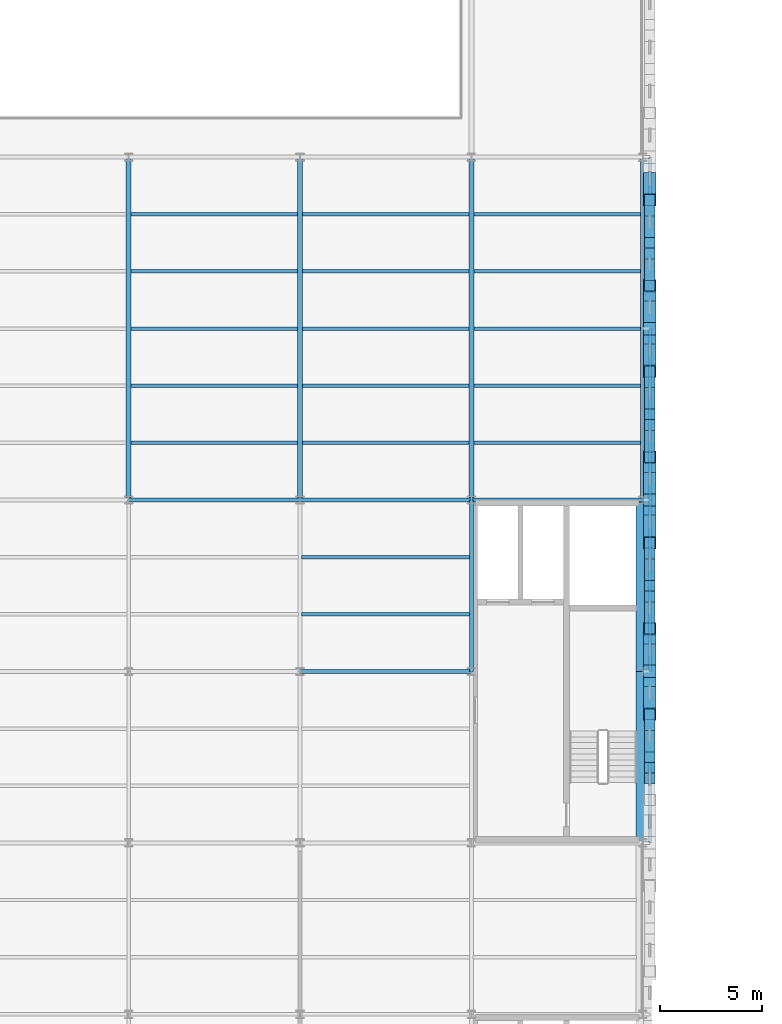
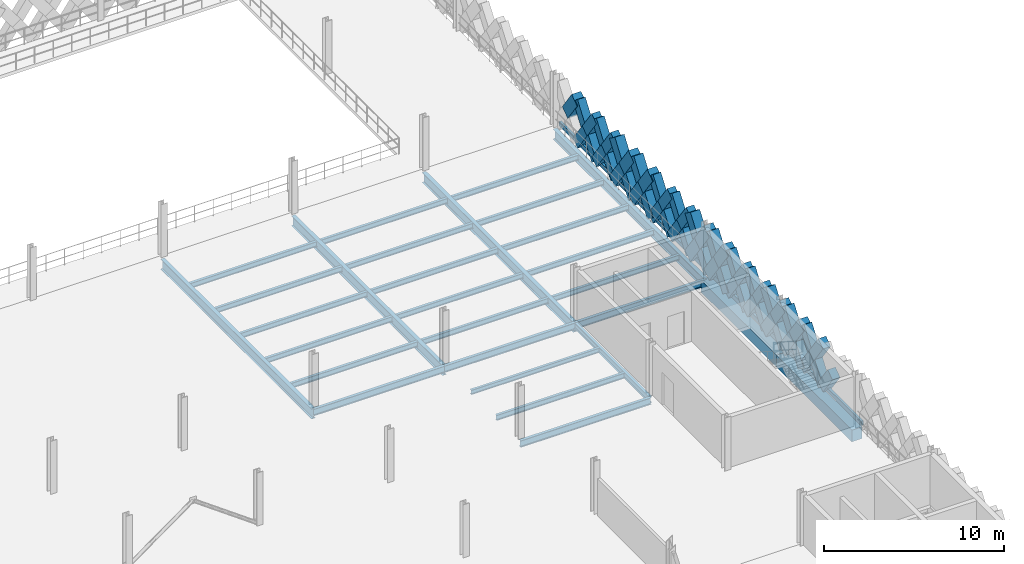
# One storey, part 32 of 79: 45 members, 28 beams.
"""IFC4 building model written with IfcOpenShell, lengths in metres."""

from ifc_helpers import new_model, si_unit, direction, frame, origin, origin_2d, place, context, subcontext, project, spatial, rectangle, hollow_rectangle, i_section, extrude, material, material_profile, profile_set, type_object, element, save


model = new_model("IFC4")

# Units and contexts
model_context = context("Model", 3, precision=1e-05, world=origin(), true_north=direction((0.0, 1.0)))
body_context = subcontext(model_context, "Body", "Model", "MODEL_VIEW")
ifc_project = project(units=[si_unit("LENGTHUNIT", "METRE"), si_unit("AREAUNIT", "SQUARE_METRE"), si_unit("VOLUMEUNIT", "CUBIC_METRE"), si_unit("PLANEANGLEUNIT", "RADIAN"), si_unit("MASSUNIT", "GRAM", prefix="KILO"), si_unit("THERMODYNAMICTEMPERATUREUNIT", "KELVIN"), si_unit("POWERUNIT", "WATT")], contexts=[model_context])

# Site, building, storey
site_placement = place(None, origin())
site = spatial("IfcSite", under=ifc_project, at=site_placement, CompositionType="ELEMENT")
building_placement = place(site_placement, origin())
building = spatial("IfcBuilding", under=site, at=building_placement, Name="Tembeka Court Mobility Hub", CompositionType="ELEMENT")
storey_placement = place(building_placement, frame((0.0, 0.0, 9.0)))
storey = spatial("IfcBuildingStorey", under=building, at=storey_placement, Name="L02", CompositionType="ELEMENT", Elevation=9.0)

# Beams
ifc_material_1 = material(Name="Steel S355", Category="steel")
ifc_material_profile_1 = material_profile(ifc_material_1, i_section(OverallWidth=0.18994140625, OverallDepth=0.45703125, WebThickness=0.009033203125, FlangeThickness=0.014404296875, FilletRadius=0.01025390625, at=origin_2d()), Name="UKB 457x191x74")
ifc_profile_set_1 = profile_set([ifc_material_profile_1], Name="Steel S355")
beam_type_1 = type_object("IfcBeamType", Name="BM-B01", PredefinedType="BEAM", material=ifc_profile_set_1)
beam_1_placement = place(storey_placement, frame((75.60009765625, 72.0, -0.448486328125), z_axis=(1.0, 0.0, 0.0), x_axis=(0.0, 1.0, 0.0)))
element("IfcBeam", 1, at=beam_1_placement, inside=storey, type_object=beam_type_1, Name="Beam B01 (BM-L02-X1271)", PredefinedType="BEAM", context=body_context, shape_type="SweptSolid", body=[
    extrude(i_section(OverallWidth=0.18994140625, OverallDepth=0.45703125, WebThickness=0.009033203125, FlangeThickness=0.014404296875, FilletRadius=0.01025390625, at=origin_2d()), origin(), (0.0, 0.0, 1.0), 8.39990234375),
])
beam_2_placement = place(storey_placement, frame((67.199951171875, 80.39990234375, -0.448486328125), z_axis=(1.0, 0.0, 0.0), x_axis=(0.0, 1.0, 0.0)))
element("IfcBeam", 2, at=beam_2_placement, inside=storey, type_object=beam_type_1, Name="Beam B01 (BM-L02-X1280)", PredefinedType="BEAM", context=body_context, shape_type="SweptSolid", body=[
    extrude(i_section(OverallWidth=0.18994140625, OverallDepth=0.45703125, WebThickness=0.009033203125, FlangeThickness=0.014404296875, FilletRadius=0.01025390625, at=origin_2d()), origin(), (0.0, 0.0, 1.0), 8.400146484375),
])
for number, where, z_axis, x_axis, name in (
    (3, (75.60009765625, 80.39990234375, -0.448486328125), (1.0, 0.0, 0.0), (0.0, 1.0, 0.0), "Beam B01 (BM-L02-X1281)"),
    (4, (84.0, 80.39990234375, -0.448486328125), (1.0, 0.0, 0.0), (0.0, 1.0, 0.0), "Beam B01 (BM-L02-X1282)"),
):
    element("IfcBeam", number, at=place(storey_placement, frame(where, z_axis=z_axis, x_axis=x_axis)), inside=storey, type_object=beam_type_1, Name=name, PredefinedType="BEAM", context=body_context, shape_type="SweptSolid", body=[
        extrude(i_section(OverallWidth=0.18994140625, OverallDepth=0.45703125, WebThickness=0.009033203125, FlangeThickness=0.014404296875, FilletRadius=0.01025390625, at=origin_2d()), origin(), (0.0, 0.0, 1.0), 8.39990234375),
    ])
ifc_material_profile_2 = material_profile(ifc_material_1, i_section(OverallWidth=0.177978515625, OverallDepth=0.406005859375, WebThickness=0.0078125, FlangeThickness=0.0126953125, FilletRadius=0.01025390625, at=origin_2d()), Name="UKB 406x178x60")
ifc_profile_set_2 = profile_set([ifc_material_profile_2], Name="Steel S355")
beam_type_2 = type_object("IfcBeamType", Name="BM-B02", PredefinedType="BEAM", material=ifc_profile_set_2)
beam_3_placement = place(storey_placement, frame((84.0, 72.0, -0.423095703125), z_axis=(0.0, 1.0, 0.0), x_axis=(-1.0, 0.0, 0.0)))
element("IfcBeam", 5, at=beam_3_placement, inside=storey, type_object=beam_type_2, Name="Beam B02 (BM-L02-Y1397)", PredefinedType="BEAM", context=body_context, shape_type="SweptSolid", body=[
    extrude(i_section(OverallWidth=0.177978515625, OverallDepth=0.406005859375, WebThickness=0.0078125, FlangeThickness=0.0126953125, FilletRadius=0.01025390625, at=origin_2d()), origin(), (0.0, 0.0, 1.0), 8.39990234375),
])
ifc_material_profile_3 = material_profile(ifc_material_1, i_section(OverallWidth=0.25390625, OverallDepth=0.68408203125, WebThickness=0.012451171875, FlangeThickness=0.01904296875, FilletRadius=0.01513671875, at=origin_2d()), Name="UKB 686x254x140")
ifc_profile_set_3 = profile_set([ifc_material_profile_3], Name="Steel S355")
beam_type_3 = type_object("IfcBeamType", Name="BM-G01", PredefinedType="USERDEFINED", material=ifc_profile_set_3)
for number, where, z_axis, x_axis, name in (
    (6, (67.199951171875, 80.39990234375, -0.56201171875), (0.0, 1.0, 0.0), (-1.0, 0.0, 0.0), "Beam G01 (BM-L02-Y1382)"),
    (7, (75.60009765625, 80.39990234375, -0.56201171875), (0.0, 1.0, 0.0), (-1.0, 0.0, 0.0), "Beam G01 (BM-L02-Y1389)"),
    (8, (84.0, 80.39990234375, -0.56201171875), (0.0, 1.0, 0.0), (-1.0, 0.0, 0.0), "Beam G01 (BM-L02-Y1398)"),
    (9, (92.39990234375, 80.39990234375, -0.56201171875), (0.0, 1.0, 0.0), (-1.0, 0.0, 0.0), "Beam G01 (BM-L02-Y1409)"),
):
    element("IfcBeam", number, at=place(storey_placement, frame(where, z_axis=z_axis, x_axis=x_axis)), inside=storey, type_object=beam_type_3, Name=name, ObjectType="GIRDER", PredefinedType="USERDEFINED", context=body_context, shape_type="SweptSolid", body=[
        extrude(i_section(OverallWidth=0.25390625, OverallDepth=0.68408203125, WebThickness=0.012451171875, FlangeThickness=0.01904296875, FilletRadius=0.01513671875, at=origin_2d()), origin(), (0.0, 0.0, 1.0), 16.800048828125),
    ])
ifc_material_profile_4 = material_profile(ifc_material_1, i_section(OverallWidth=0.172119140625, OverallDepth=0.35498046875, WebThickness=0.00732421875, FlangeThickness=0.011474609375, FilletRadius=0.01025390625, at=origin_2d()), Name="UKB 356x171x51")
ifc_profile_set_4 = profile_set([ifc_material_profile_4], Name="Steel S355")
beam_type_4 = type_object("IfcBeamType", Name="BM-J01", PredefinedType="JOIST", material=ifc_profile_set_4)
for number, where, z_axis, x_axis, name in (
    (10, (67.322021484375, 83.199951171875, -0.3974609375), (1.0, 0.0, 0.0), (0.0, 1.0, 0.0), "Beam J01 (JST-L02-1598)"),
    (11, (67.322021484375, 86.0, -0.3974609375), (1.0, 0.0, 0.0), (0.0, 1.0, 0.0), "Beam J01 (JST-L02-1599)"),
    (12, (67.322021484375, 88.800048828125, -0.3974609375), (1.0, 0.0, 0.0), (0.0, 1.0, 0.0), "Beam J01 (JST-L02-1600)"),
    (13, (67.322021484375, 91.60009765625, -0.3974609375), (1.0, 0.0, 0.0), (0.0, 1.0, 0.0), "Beam J01 (JST-L02-1601)"),
    (14, (67.322021484375, 94.39990234375, -0.3974609375), (1.0, 0.0, 0.0), (0.0, 1.0, 0.0), "Beam J01 (JST-L02-1602)"),
    (15, (75.721923828125, 83.199951171875, -0.3974609375), (1.0, 0.0, 0.0), (0.0, 1.0, 0.0), "Beam J01 (JST-L02-1618)"),
    (16, (75.721923828125, 86.0, -0.3974609375), (1.0, 0.0, 0.0), (0.0, 1.0, 0.0), "Beam J01 (JST-L02-1619)"),
    (17, (75.721923828125, 88.800048828125, -0.3974609375), (1.0, 0.0, 0.0), (0.0, 1.0, 0.0), "Beam J01 (JST-L02-1620)"),
    (18, (75.721923828125, 91.60009765625, -0.3974609375), (1.0, 0.0, 0.0), (0.0, 1.0, 0.0), "Beam J01 (JST-L02-1621)"),
    (19, (75.721923828125, 94.39990234375, -0.3974609375), (1.0, 0.0, 0.0), (0.0, 1.0, 0.0), "Beam J01 (JST-L02-1622)"),
    (20, (84.1220703125, 83.199951171875, -0.3974609375), (1.0, 0.0, 0.0), (0.0, 1.0, 0.0), "Beam J01 (JST-L02-1630)"),
    (21, (84.1220703125, 86.0, -0.3974609375), (1.0, 0.0, 0.0), (0.0, 1.0, 0.0), "Beam J01 (JST-L02-1631)"),
    (22, (84.1220703125, 88.800048828125, -0.3974609375), (1.0, 0.0, 0.0), (0.0, 1.0, 0.0), "Beam J01 (JST-L02-1632)"),
    (23, (84.1220703125, 91.60009765625, -0.3974609375), (1.0, 0.0, 0.0), (0.0, 1.0, 0.0), "Beam J01 (JST-L02-1633)"),
    (24, (84.1220703125, 94.39990234375, -0.3974609375), (1.0, 0.0, 0.0), (0.0, 1.0, 0.0), "Beam J01 (JST-L02-1634)"),
):
    element("IfcBeam", number, at=place(storey_placement, frame(where, z_axis=z_axis, x_axis=x_axis)), inside=storey, type_object=beam_type_4, Name=name, PredefinedType="JOIST", context=body_context, shape_type="SweptSolid", body=[
        extrude(i_section(OverallWidth=0.172119140625, OverallDepth=0.35498046875, WebThickness=0.00732421875, FlangeThickness=0.011474609375, FilletRadius=0.01025390625, at=origin_2d()), origin(), (0.0, 0.0, 1.0), 8.156005859375),
    ])
ifc_material_profile_5 = material_profile(ifc_material_1, i_section(OverallWidth=0.1650390625, OverallDepth=0.303955078125, WebThickness=0.006103515625, FlangeThickness=0.01025390625, FilletRadius=0.0087890625, at=origin_2d()), Name="UKB 305x165x40")
ifc_profile_set_5 = profile_set([ifc_material_profile_5], Name="Steel S355")
beam_type_5 = type_object("IfcBeamType", Name="BM-J02", PredefinedType="JOIST", material=ifc_profile_set_5)
beam_4_placement = place(storey_placement, frame((75.68408203125, 77.60009765625, -0.3720703125), z_axis=(1.0, 0.0, 0.0), x_axis=(0.0, 1.0, 0.0)))
element("IfcBeam", 25, at=beam_4_placement, inside=storey, type_object=beam_type_5, Name="Beam J02 (JST-L02-1617)", PredefinedType="JOIST", context=body_context, shape_type="SweptSolid", body=[
    extrude(i_section(OverallWidth=0.1650390625, OverallDepth=0.303955078125, WebThickness=0.006103515625, FlangeThickness=0.01025390625, FilletRadius=0.0087890625, at=origin_2d()), origin(), (0.0, 0.0, 1.0), 8.23193359375),
])
ifc_material_profile_6 = material_profile(ifc_material_1, i_section(OverallWidth=0.169921875, OverallDepth=0.360107421875, WebThickness=0.008056640625, FlangeThickness=0.0126953125, FilletRadius=0.01806640625, at=origin_2d()), Name="IPE 360")
ifc_profile_set_6 = profile_set([ifc_material_profile_6], Name="Steel S355")
beam_type_6 = type_object("IfcBeamType", Name="BM-J03", PredefinedType="JOIST", material=ifc_profile_set_6)
beam_5_placement = place(storey_placement, frame((75.68408203125, 74.800048828125, -0.39990234375), z_axis=(1.0, 0.0, 0.0), x_axis=(0.0, 1.0, 0.0)))
element("IfcBeam", 26, at=beam_5_placement, inside=storey, type_object=beam_type_6, Name="Beam J03 (JST-L02-1616)", PredefinedType="JOIST", context=body_context, shape_type="SweptSolid", body=[
    extrude(i_section(OverallWidth=0.169921875, OverallDepth=0.360107421875, WebThickness=0.008056640625, FlangeThickness=0.0126953125, FilletRadius=0.01806640625, at=origin_2d()), origin(), (0.0, 0.0, 1.0), 8.23193359375),
])
ifc_material_2 = material(Name="Precast concrete C45/55", Category="concrete")
ifc_material_profile_7 = material_profile(ifc_material_2, rectangle(XDim=0.64990234375, YDim=0.800048828125, at=origin_2d()), Name="PC-SP 650x800")
ifc_profile_set_7 = profile_set([ifc_material_profile_7], Name="Precast concrete C45/55")
beam_type_7 = type_object("IfcBeamType", Name="BM-SP01", PredefinedType="SPANDREL", material=ifc_profile_set_7)
for number, where, z_axis, x_axis, name in (
    (27, (92.39990234375, 63.60009765625, -0.6201171875), (0.0, 1.0, 0.0), (-1.0, 0.0, 0.0), "Beam SP01 (BM-L02-Y1407)"),
    (28, (92.39990234375, 72.0, -0.6201171875), (0.0, 1.0, 0.0), (-1.0, 0.0, 0.0), "Beam SP01 (BM-L02-Y1408)"),
):
    element("IfcBeam", number, at=place(storey_placement, frame(where, z_axis=z_axis, x_axis=x_axis)), inside=storey, type_object=beam_type_7, Name=name, PredefinedType="SPANDREL", context=body_context, shape_type="SweptSolid", body=[
        extrude(rectangle(XDim=0.64990234375, YDim=0.800048828125, at=origin_2d()), origin(), (0.0, 0.0, 1.0), 8.39990234375),
    ])

# Members
ifc_material_profile_8 = material_profile(ifc_material_2, rectangle(XDim=0.5, YDim=0.64990234375, at=origin_2d()), Name="PC-DIAG 500x650")
ifc_profile_set_8 = profile_set([ifc_material_profile_8], Name="Precast concrete C45/55")
member_type_1 = type_object("IfcMemberType", Name="MEM-DL01", PredefinedType="BRACE", material=ifc_profile_set_8)
member_1_placement = place(storey_placement, frame((92.739990234375, 67.800048828125, 0.02001953125), z_axis=(0.0, -0.582544294934, 0.812798956963), x_axis=(1.0, 0.0, 0.0)))
element("IfcMember", 29, at=member_1_placement, inside=storey, type_object=member_type_1, Name="Precast diamond lattice split lower strand DL01 (L02-364D1)", PredefinedType="BRACE", context=body_context, shape_type="SweptSolid", body=[
    extrude(rectangle(XDim=0.5, YDim=0.64990234375, at=origin_2d()), origin(), (0.0, 0.0, 1.0), 1.802490234375),
])
member_2_placement = place(storey_placement, frame((92.739990234375, 67.800048828125, 0.02001953125), z_axis=(0.0, 0.58253161945, 0.812808041509), x_axis=(-1.0, 0.0, 0.0)))
element("IfcMember", 30, at=member_2_placement, inside=storey, type_object=member_type_1, Name="Precast diamond lattice continuous strand DL01 (L02-365C)", PredefinedType="BRACE", context=body_context, shape_type="SweptSolid", body=[
    extrude(rectangle(XDim=0.5, YDim=0.64990234375, at=origin_2d()), origin(), (0.0, 0.0, 1.0), 3.604736328125),
])
member_3_placement = place(storey_placement, frame((92.739990234375, 69.89990234375, 0.02001953125), z_axis=(0.0, -0.582454804382, 0.812863088627), x_axis=(1.0, 0.0, 0.0)))
element("IfcMember", 31, at=member_3_placement, inside=storey, type_object=member_type_1, Name="Precast diamond lattice split lower strand DL01 (L02-365D1)", PredefinedType="BRACE", context=body_context, shape_type="SweptSolid", body=[
    extrude(rectangle(XDim=0.5, YDim=0.64990234375, at=origin_2d()), origin(), (0.0, 0.0, 1.0), 1.802490234375),
])
member_4_placement = place(storey_placement, frame((92.739990234375, 68.85009765625, 1.485107421875), z_axis=(0.0, -0.582608431711, 0.812752985414), x_axis=(1.0, 0.0, 0.0)))
element("IfcMember", 32, at=member_4_placement, inside=storey, type_object=member_type_1, Name="Precast diamond lattice split upper strand DL01 (L02-365D2)", PredefinedType="BRACE", context=body_context, shape_type="SweptSolid", body=[
    extrude(rectangle(XDim=0.5, YDim=0.64990234375, at=origin_2d()), origin(), (0.0, 0.0, 1.0), 1.80224609375),
])
member_5_placement = place(storey_placement, frame((92.739990234375, 74.10009765625, 0.02001953125), z_axis=(0.0, 0.58253161945, 0.812808041509), x_axis=(-1.0, 0.0, 0.0)))
element("IfcMember", 33, at=member_5_placement, inside=storey, type_object=member_type_1, Name="Precast diamond lattice continuous strand DL01 (L02-368C)", PredefinedType="BRACE", context=body_context, shape_type="SweptSolid", body=[
    extrude(rectangle(XDim=0.5, YDim=0.64990234375, at=origin_2d()), origin(), (0.0, 0.0, 1.0), 3.604736328125),
])
member_6_placement = place(storey_placement, frame((92.739990234375, 76.199951171875, 0.02001953125), z_axis=(0.0, -0.582544294934, 0.812798956963), x_axis=(1.0, 0.0, 0.0)))
element("IfcMember", 34, at=member_6_placement, inside=storey, type_object=member_type_1, Name="Precast diamond lattice split lower strand DL01 (L02-368D1)", PredefinedType="BRACE", context=body_context, shape_type="SweptSolid", body=[
    extrude(rectangle(XDim=0.5, YDim=0.64990234375, at=origin_2d()), origin(), (0.0, 0.0, 1.0), 1.802490234375),
])
member_7_placement = place(storey_placement, frame((92.739990234375, 75.14990234375, 1.485107421875), z_axis=(0.0, -0.582518941428, 0.812817127574), x_axis=(1.0, 0.0, 0.0)))
element("IfcMember", 35, at=member_7_placement, inside=storey, type_object=member_type_1, Name="Precast diamond lattice split upper strand DL01 (L02-368D2)", PredefinedType="BRACE", context=body_context, shape_type="SweptSolid", body=[
    extrude(rectangle(XDim=0.5, YDim=0.64990234375, at=origin_2d()), origin(), (0.0, 0.0, 1.0), 1.80224609375),
])
member_8_placement = place(storey_placement, frame((92.739990234375, 76.199951171875, 0.02001953125), z_axis=(0.0, 0.582576362011, 0.812775973086), x_axis=(-1.0, 0.0, 0.0)))
element("IfcMember", 36, at=member_8_placement, inside=storey, type_object=member_type_1, Name="Precast diamond lattice continuous strand DL01 (L02-369C)", PredefinedType="BRACE", context=body_context, shape_type="SweptSolid", body=[
    extrude(rectangle(XDim=0.5, YDim=0.64990234375, at=origin_2d()), origin(), (0.0, 0.0, 1.0), 3.604736328125),
])
member_9_placement = place(storey_placement, frame((92.739990234375, 78.300048828125, 0.02001953125), z_axis=(0.0, -0.582544294934, 0.812798956963), x_axis=(1.0, 0.0, 0.0)))
element("IfcMember", 37, at=member_9_placement, inside=storey, type_object=member_type_1, Name="Precast diamond lattice split lower strand DL01 (L02-369D1)", PredefinedType="BRACE", context=body_context, shape_type="SweptSolid", body=[
    extrude(rectangle(XDim=0.5, YDim=0.64990234375, at=origin_2d()), origin(), (0.0, 0.0, 1.0), 1.802490234375),
])
member_10_placement = place(storey_placement, frame((92.739990234375, 77.25, 1.485107421875), z_axis=(0.0, -0.582608431711, 0.812752985414), x_axis=(1.0, 0.0, 0.0)))
element("IfcMember", 38, at=member_10_placement, inside=storey, type_object=member_type_1, Name="Precast diamond lattice split upper strand DL01 (L02-369D2)", PredefinedType="BRACE", context=body_context, shape_type="SweptSolid", body=[
    extrude(rectangle(XDim=0.5, YDim=0.64990234375, at=origin_2d()), origin(), (0.0, 0.0, 1.0), 1.80224609375),
])
member_11_placement = place(storey_placement, frame((92.739990234375, 82.5, 0.02001953125), z_axis=(0.0, 0.582576362011, 0.812775973086), x_axis=(-1.0, 0.0, 0.0)))
element("IfcMember", 39, at=member_11_placement, inside=storey, type_object=member_type_1, Name="Precast diamond lattice continuous strand DL01 (L02-372C)", PredefinedType="BRACE", context=body_context, shape_type="SweptSolid", body=[
    extrude(rectangle(XDim=0.5, YDim=0.64990234375, at=origin_2d()), origin(), (0.0, 0.0, 1.0), 3.604736328125),
])
member_12_placement = place(storey_placement, frame((92.739990234375, 84.60009765625, 0.02001953125), z_axis=(0.0, -0.582544294934, 0.812798956963), x_axis=(1.0, 0.0, 0.0)))
element("IfcMember", 40, at=member_12_placement, inside=storey, type_object=member_type_1, Name="Precast diamond lattice split lower strand DL01 (L02-372D1)", PredefinedType="BRACE", context=body_context, shape_type="SweptSolid", body=[
    extrude(rectangle(XDim=0.5, YDim=0.64990234375, at=origin_2d()), origin(), (0.0, 0.0, 1.0), 1.802490234375),
])
member_13_placement = place(storey_placement, frame((92.739990234375, 83.550048828125, 1.485107421875), z_axis=(0.0, -0.582608431711, 0.812752985414), x_axis=(1.0, 0.0, 0.0)))
element("IfcMember", 41, at=member_13_placement, inside=storey, type_object=member_type_1, Name="Precast diamond lattice split upper strand DL01 (L02-372D2)", PredefinedType="BRACE", context=body_context, shape_type="SweptSolid", body=[
    extrude(rectangle(XDim=0.5, YDim=0.64990234375, at=origin_2d()), origin(), (0.0, 0.0, 1.0), 1.80224609375),
])
member_14_placement = place(storey_placement, frame((92.739990234375, 84.60009765625, 0.02001953125), z_axis=(0.0, 0.58253161945, 0.812808041509), x_axis=(-1.0, 0.0, 0.0)))
element("IfcMember", 42, at=member_14_placement, inside=storey, type_object=member_type_1, Name="Precast diamond lattice continuous strand DL01 (L02-373C)", PredefinedType="BRACE", context=body_context, shape_type="SweptSolid", body=[
    extrude(rectangle(XDim=0.5, YDim=0.64990234375, at=origin_2d()), origin(), (0.0, 0.0, 1.0), 3.604736328125),
])
member_15_placement = place(storey_placement, frame((92.739990234375, 86.699951171875, 0.02001953125), z_axis=(0.0, -0.582544294934, 0.812798956963), x_axis=(1.0, 0.0, 0.0)))
element("IfcMember", 43, at=member_15_placement, inside=storey, type_object=member_type_1, Name="Precast diamond lattice split lower strand DL01 (L02-373D1)", PredefinedType="BRACE", context=body_context, shape_type="SweptSolid", body=[
    extrude(rectangle(XDim=0.5, YDim=0.64990234375, at=origin_2d()), origin(), (0.0, 0.0, 1.0), 1.802490234375),
])
member_16_placement = place(storey_placement, frame((92.739990234375, 85.64990234375, 1.485107421875), z_axis=(0.0, -0.582518941428, 0.812817127574), x_axis=(1.0, 0.0, 0.0)))
element("IfcMember", 44, at=member_16_placement, inside=storey, type_object=member_type_1, Name="Precast diamond lattice split upper strand DL01 (L02-373D2)", PredefinedType="BRACE", context=body_context, shape_type="SweptSolid", body=[
    extrude(rectangle(XDim=0.5, YDim=0.64990234375, at=origin_2d()), origin(), (0.0, 0.0, 1.0), 1.80224609375),
])
member_17_placement = place(storey_placement, frame((92.739990234375, 90.89990234375, 0.02001953125), z_axis=(0.0, 0.582576362011, 0.812775973086), x_axis=(-1.0, 0.0, 0.0)))
element("IfcMember", 45, at=member_17_placement, inside=storey, type_object=member_type_1, Name="Precast diamond lattice continuous strand DL01 (L02-376C)", PredefinedType="BRACE", context=body_context, shape_type="SweptSolid", body=[
    extrude(rectangle(XDim=0.5, YDim=0.64990234375, at=origin_2d()), origin(), (0.0, 0.0, 1.0), 3.604736328125),
])
member_18_placement = place(storey_placement, frame((92.739990234375, 93.0, 0.02001953125), z_axis=(0.0, -0.582544294934, 0.812798956963), x_axis=(1.0, 0.0, 0.0)))
element("IfcMember", 46, at=member_18_placement, inside=storey, type_object=member_type_1, Name="Precast diamond lattice split lower strand DL01 (L02-376D1)", PredefinedType="BRACE", context=body_context, shape_type="SweptSolid", body=[
    extrude(rectangle(XDim=0.5, YDim=0.64990234375, at=origin_2d()), origin(), (0.0, 0.0, 1.0), 1.802490234375),
])
member_19_placement = place(storey_placement, frame((92.739990234375, 91.949951171875, 1.485107421875), z_axis=(0.0, -0.582608431711, 0.812752985414), x_axis=(1.0, 0.0, 0.0)))
element("IfcMember", 47, at=member_19_placement, inside=storey, type_object=member_type_1, Name="Precast diamond lattice split upper strand DL01 (L02-376D2)", PredefinedType="BRACE", context=body_context, shape_type="SweptSolid", body=[
    extrude(rectangle(XDim=0.5, YDim=0.64990234375, at=origin_2d()), origin(), (0.0, 0.0, 1.0), 1.80224609375),
])
member_20_placement = place(storey_placement, frame((92.739990234375, 93.0, 0.02001953125), z_axis=(0.0, 0.582576362011, 0.812775973086), x_axis=(-1.0, 0.0, 0.0)))
element("IfcMember", 48, at=member_20_placement, inside=storey, type_object=member_type_1, Name="Precast diamond lattice continuous strand DL01 (L02-377C)", PredefinedType="BRACE", context=body_context, shape_type="SweptSolid", body=[
    extrude(rectangle(XDim=0.5, YDim=0.64990234375, at=origin_2d()), origin(), (0.0, 0.0, 1.0), 3.604736328125),
])
member_21_placement = place(storey_placement, frame((92.739990234375, 95.10009765625, 0.02001953125), z_axis=(0.0, -0.582544294934, 0.812798956963), x_axis=(1.0, 0.0, 0.0)))
element("IfcMember", 49, at=member_21_placement, inside=storey, type_object=member_type_1, Name="Precast diamond lattice split lower strand DL01 (L02-377D1)", PredefinedType="BRACE", context=body_context, shape_type="SweptSolid", body=[
    extrude(rectangle(XDim=0.5, YDim=0.64990234375, at=origin_2d()), origin(), (0.0, 0.0, 1.0), 1.802490234375),
])
member_22_placement = place(storey_placement, frame((92.739990234375, 94.050048828125, 1.485107421875), z_axis=(0.0, -0.582608431711, 0.812752985414), x_axis=(1.0, 0.0, 0.0)))
element("IfcMember", 50, at=member_22_placement, inside=storey, type_object=member_type_1, Name="Precast diamond lattice split upper strand DL01 (L02-377D2)", PredefinedType="BRACE", context=body_context, shape_type="SweptSolid", body=[
    extrude(rectangle(XDim=0.5, YDim=0.64990234375, at=origin_2d()), origin(), (0.0, 0.0, 1.0), 1.80224609375),
])
ifc_material_profile_9 = material_profile(ifc_material_2, rectangle(XDim=0.60009765625, YDim=0.75, at=origin_2d()), Name="PC-DIAG 600x750")
ifc_profile_set_9 = profile_set([ifc_material_profile_9], Name="Precast concrete C45/55")
member_type_2 = type_object("IfcMemberType", Name="MEM-DL02", PredefinedType="BRACE", material=ifc_profile_set_9)
member_23_placement = place(storey_placement, frame((92.739990234375, 69.89990234375, 0.02001953125), z_axis=(0.0, 0.582576362011, 0.812775973086), x_axis=(-1.0, 0.0, 0.0)))
element("IfcMember", 51, at=member_23_placement, inside=storey, type_object=member_type_2, Name="Precast diamond lattice continuous strand DL02 (L02-366C)", PredefinedType="BRACE", context=body_context, shape_type="SweptSolid", body=[
    extrude(rectangle(XDim=0.60009765625, YDim=0.75, at=origin_2d()), origin(), (0.0, 0.0, 1.0), 3.604736328125),
])
member_24_placement = place(storey_placement, frame((92.739990234375, 72.0, 0.02001953125), z_axis=(0.0, -0.582544294934, 0.812798956963), x_axis=(1.0, 0.0, 0.0)))
element("IfcMember", 52, at=member_24_placement, inside=storey, type_object=member_type_2, Name="Precast diamond lattice split lower strand DL02 (L02-366D1)", PredefinedType="BRACE", context=body_context, shape_type="SweptSolid", body=[
    extrude(rectangle(XDim=0.60009765625, YDim=0.75, at=origin_2d()), origin(), (0.0, 0.0, 1.0), 1.802490234375),
])
member_25_placement = place(storey_placement, frame((92.739990234375, 70.949951171875, 1.485107421875), z_axis=(0.0, -0.582608431711, 0.812752985414), x_axis=(1.0, 0.0, 0.0)))
element("IfcMember", 53, at=member_25_placement, inside=storey, type_object=member_type_2, Name="Precast diamond lattice split upper strand DL02 (L02-366D2)", PredefinedType="BRACE", context=body_context, shape_type="SweptSolid", body=[
    extrude(rectangle(XDim=0.60009765625, YDim=0.75, at=origin_2d()), origin(), (0.0, 0.0, 1.0), 1.80224609375),
])
member_26_placement = place(storey_placement, frame((92.739990234375, 72.0, 0.02001953125), z_axis=(0.0, 0.582576362011, 0.812775973086), x_axis=(-1.0, 0.0, 0.0)))
element("IfcMember", 54, at=member_26_placement, inside=storey, type_object=member_type_2, Name="Precast diamond lattice continuous strand DL02 (L02-367C)", PredefinedType="BRACE", context=body_context, shape_type="SweptSolid", body=[
    extrude(rectangle(XDim=0.60009765625, YDim=0.75, at=origin_2d()), origin(), (0.0, 0.0, 1.0), 3.604736328125),
])
member_27_placement = place(storey_placement, frame((92.739990234375, 74.10009765625, 0.02001953125), z_axis=(0.0, -0.582544294934, 0.812798956963), x_axis=(1.0, 0.0, 0.0)))
element("IfcMember", 55, at=member_27_placement, inside=storey, type_object=member_type_2, Name="Precast diamond lattice split lower strand DL02 (L02-367D1)", PredefinedType="BRACE", context=body_context, shape_type="SweptSolid", body=[
    extrude(rectangle(XDim=0.60009765625, YDim=0.75, at=origin_2d()), origin(), (0.0, 0.0, 1.0), 1.802490234375),
])
member_28_placement = place(storey_placement, frame((92.739990234375, 73.050048828125, 1.485107421875), z_axis=(0.0, -0.582608431711, 0.812752985414), x_axis=(1.0, 0.0, 0.0)))
element("IfcMember", 56, at=member_28_placement, inside=storey, type_object=member_type_2, Name="Precast diamond lattice split upper strand DL02 (L02-367D2)", PredefinedType="BRACE", context=body_context, shape_type="SweptSolid", body=[
    extrude(rectangle(XDim=0.60009765625, YDim=0.75, at=origin_2d()), origin(), (0.0, 0.0, 1.0), 1.80224609375),
])
member_29_placement = place(storey_placement, frame((92.739990234375, 78.300048828125, 0.02001953125), z_axis=(0.0, 0.58253161945, 0.812808041509), x_axis=(-1.0, 0.0, 0.0)))
element("IfcMember", 57, at=member_29_placement, inside=storey, type_object=member_type_2, Name="Precast diamond lattice continuous strand DL02 (L02-370C)", PredefinedType="BRACE", context=body_context, shape_type="SweptSolid", body=[
    extrude(rectangle(XDim=0.60009765625, YDim=0.75, at=origin_2d()), origin(), (0.0, 0.0, 1.0), 3.604736328125),
])
member_30_placement = place(storey_placement, frame((92.739990234375, 80.39990234375, 0.02001953125), z_axis=(0.0, -0.582454804382, 0.812863088627), x_axis=(1.0, 0.0, 0.0)))
element("IfcMember", 58, at=member_30_placement, inside=storey, type_object=member_type_2, Name="Precast diamond lattice split lower strand DL02 (L02-370D1)", PredefinedType="BRACE", context=body_context, shape_type="SweptSolid", body=[
    extrude(rectangle(XDim=0.60009765625, YDim=0.75, at=origin_2d()), origin(), (0.0, 0.0, 1.0), 1.802490234375),
])
member_31_placement = place(storey_placement, frame((92.739990234375, 79.35009765625, 1.485107421875), z_axis=(0.0, -0.582608431711, 0.812752985414), x_axis=(1.0, 0.0, 0.0)))
element("IfcMember", 59, at=member_31_placement, inside=storey, type_object=member_type_2, Name="Precast diamond lattice split upper strand DL02 (L02-370D2)", PredefinedType="BRACE", context=body_context, shape_type="SweptSolid", body=[
    extrude(rectangle(XDim=0.60009765625, YDim=0.75, at=origin_2d()), origin(), (0.0, 0.0, 1.0), 1.80224609375),
])
member_32_placement = place(storey_placement, frame((92.739990234375, 80.39990234375, 0.02001953125), z_axis=(0.0, 0.582576362011, 0.812775973086), x_axis=(-1.0, 0.0, 0.0)))
element("IfcMember", 60, at=member_32_placement, inside=storey, type_object=member_type_2, Name="Precast diamond lattice continuous strand DL02 (L02-371C)", PredefinedType="BRACE", context=body_context, shape_type="SweptSolid", body=[
    extrude(rectangle(XDim=0.60009765625, YDim=0.75, at=origin_2d()), origin(), (0.0, 0.0, 1.0), 3.604736328125),
])
member_33_placement = place(storey_placement, frame((92.739990234375, 82.5, 0.02001953125), z_axis=(0.0, -0.582544294934, 0.812798956963), x_axis=(1.0, 0.0, 0.0)))
element("IfcMember", 61, at=member_33_placement, inside=storey, type_object=member_type_2, Name="Precast diamond lattice split lower strand DL02 (L02-371D1)", PredefinedType="BRACE", context=body_context, shape_type="SweptSolid", body=[
    extrude(rectangle(XDim=0.60009765625, YDim=0.75, at=origin_2d()), origin(), (0.0, 0.0, 1.0), 1.802490234375),
])
member_34_placement = place(storey_placement, frame((92.739990234375, 81.449951171875, 1.485107421875), z_axis=(0.0, -0.582608431711, 0.812752985414), x_axis=(1.0, 0.0, 0.0)))
element("IfcMember", 62, at=member_34_placement, inside=storey, type_object=member_type_2, Name="Precast diamond lattice split upper strand DL02 (L02-371D2)", PredefinedType="BRACE", context=body_context, shape_type="SweptSolid", body=[
    extrude(rectangle(XDim=0.60009765625, YDim=0.75, at=origin_2d()), origin(), (0.0, 0.0, 1.0), 1.80224609375),
])
member_35_placement = place(storey_placement, frame((92.739990234375, 86.699951171875, 0.02001953125), z_axis=(0.0, 0.582576362011, 0.812775973086), x_axis=(-1.0, 0.0, 0.0)))
element("IfcMember", 63, at=member_35_placement, inside=storey, type_object=member_type_2, Name="Precast diamond lattice continuous strand DL02 (L02-374C)", PredefinedType="BRACE", context=body_context, shape_type="SweptSolid", body=[
    extrude(rectangle(XDim=0.60009765625, YDim=0.75, at=origin_2d()), origin(), (0.0, 0.0, 1.0), 3.604736328125),
])
member_36_placement = place(storey_placement, frame((92.739990234375, 88.800048828125, 0.02001953125), z_axis=(0.0, -0.582544294934, 0.812798956963), x_axis=(1.0, 0.0, 0.0)))
element("IfcMember", 64, at=member_36_placement, inside=storey, type_object=member_type_2, Name="Precast diamond lattice split lower strand DL02 (L02-374D1)", PredefinedType="BRACE", context=body_context, shape_type="SweptSolid", body=[
    extrude(rectangle(XDim=0.60009765625, YDim=0.75, at=origin_2d()), origin(), (0.0, 0.0, 1.0), 1.802490234375),
])
member_37_placement = place(storey_placement, frame((92.739990234375, 87.75, 1.485107421875), z_axis=(0.0, -0.582608431711, 0.812752985414), x_axis=(1.0, 0.0, 0.0)))
element("IfcMember", 65, at=member_37_placement, inside=storey, type_object=member_type_2, Name="Precast diamond lattice split upper strand DL02 (L02-374D2)", PredefinedType="BRACE", context=body_context, shape_type="SweptSolid", body=[
    extrude(rectangle(XDim=0.60009765625, YDim=0.75, at=origin_2d()), origin(), (0.0, 0.0, 1.0), 1.80224609375),
])
member_38_placement = place(storey_placement, frame((92.739990234375, 88.800048828125, 0.02001953125), z_axis=(0.0, 0.58253161945, 0.812808041509), x_axis=(-1.0, 0.0, 0.0)))
element("IfcMember", 66, at=member_38_placement, inside=storey, type_object=member_type_2, Name="Precast diamond lattice continuous strand DL02 (L02-375C)", PredefinedType="BRACE", context=body_context, shape_type="SweptSolid", body=[
    extrude(rectangle(XDim=0.60009765625, YDim=0.75, at=origin_2d()), origin(), (0.0, 0.0, 1.0), 3.604736328125),
])
member_39_placement = place(storey_placement, frame((92.739990234375, 90.89990234375, 0.02001953125), z_axis=(0.0, -0.582454804382, 0.812863088627), x_axis=(1.0, 0.0, 0.0)))
element("IfcMember", 67, at=member_39_placement, inside=storey, type_object=member_type_2, Name="Precast diamond lattice split lower strand DL02 (L02-375D1)", PredefinedType="BRACE", context=body_context, shape_type="SweptSolid", body=[
    extrude(rectangle(XDim=0.60009765625, YDim=0.75, at=origin_2d()), origin(), (0.0, 0.0, 1.0), 1.802490234375),
])
for number, where, z_axis, x_axis, name in (
    (68, (92.739990234375, 89.85009765625, 1.485107421875), (0.0, -0.582608431711, 0.812752985414), (1.0, 0.0, 0.0), "Precast diamond lattice split upper strand DL02 (L02-375D2)"),
    (69, (92.739990234375, 96.14990234375, 1.485107421875), (0.0, -0.582518941428, 0.812817127574), (1.0, 0.0, 0.0), "Precast diamond lattice split upper strand DL02 (L02-378D2)"),
):
    element("IfcMember", number, at=place(storey_placement, frame(where, z_axis=z_axis, x_axis=x_axis)), inside=storey, type_object=member_type_2, Name=name, PredefinedType="BRACE", context=body_context, shape_type="SweptSolid", body=[
        extrude(rectangle(XDim=0.60009765625, YDim=0.75, at=origin_2d()), origin(), (0.0, 0.0, 1.0), 1.80224609375),
    ])
ifc_material_profile_10 = material_profile(ifc_material_1, hollow_rectangle(XDim=0.14990234375, YDim=0.300048828125, WallThickness=0.010009765625, at=origin_2d()), Name="RHS 300x150x10")
ifc_profile_set_10 = profile_set([ifc_material_profile_10], Name="Steel S355")
member_type_3 = type_object("IfcMemberType", Name="MEM-ST03", PredefinedType="STRUT", material=ifc_profile_set_10)
for number, where, z_axis, x_axis, name in (
    (70, (92.739990234375, 63.60009765625, 0.02001953125), (0.0, 1.0, 0.0), (-1.0, 0.0, 0.0), "Proud lattice sill tie chord SR03 (L02-E-63)"),
    (71, (92.739990234375, 72.0, 0.02001953125), (0.0, 1.0, 0.0), (-1.0, 0.0, 0.0), "Proud lattice sill tie chord SR03 (L02-E-72)"),
):
    element("IfcMember", number, at=place(storey_placement, frame(where, z_axis=z_axis, x_axis=x_axis)), inside=storey, type_object=member_type_3, Name=name, PredefinedType="STRUT", context=body_context, shape_type="SweptSolid", body=[
        extrude(hollow_rectangle(XDim=0.14990234375, YDim=0.300048828125, WallThickness=0.010009765625, at=origin_2d()), origin(), (0.0, 0.0, 1.0), 8.39990234375),
    ])
member_40_placement = place(storey_placement, frame((92.739990234375, 80.39990234375, 0.02001953125), z_axis=(0.0, 1.0, 0.0), x_axis=(-1.0, 0.0, 0.0)))
element("IfcMember", 72, at=member_40_placement, inside=storey, type_object=member_type_3, Name="Proud lattice sill tie chord SR03 (L02-E-80)", PredefinedType="STRUT", context=body_context, shape_type="SweptSolid", body=[
    extrude(hollow_rectangle(XDim=0.14990234375, YDim=0.300048828125, WallThickness=0.010009765625, at=origin_2d()), origin(), (0.0, 0.0, 1.0), 8.400146484375),
])
member_41_placement = place(storey_placement, frame((92.739990234375, 88.800048828125, 0.02001953125), z_axis=(0.0, 1.0, 0.0), x_axis=(-1.0, 0.0, 0.0)))
element("IfcMember", 73, at=member_41_placement, inside=storey, type_object=member_type_3, Name="Proud lattice sill tie chord SR03 (L02-E-88)", PredefinedType="STRUT", context=body_context, shape_type="SweptSolid", body=[
    extrude(hollow_rectangle(XDim=0.14990234375, YDim=0.300048828125, WallThickness=0.010009765625, at=origin_2d()), origin(), (0.0, 0.0, 1.0), 8.39990234375),
])

save(model, "model.ifc")
